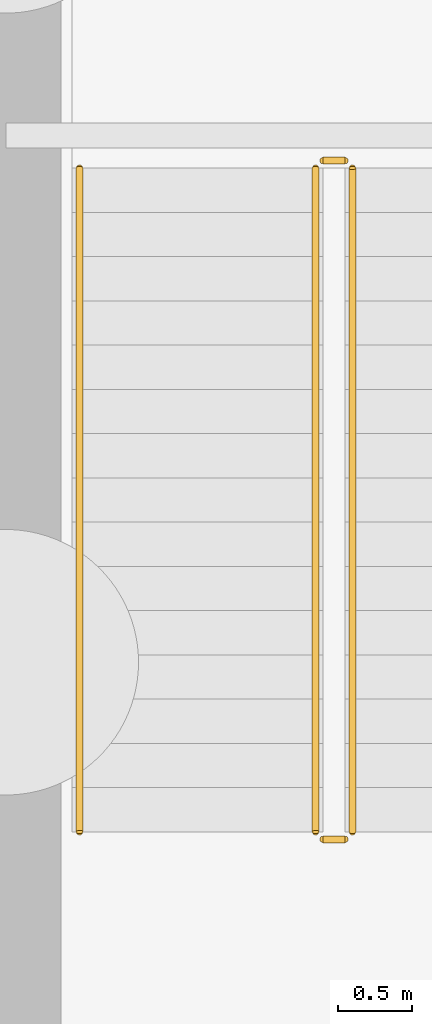
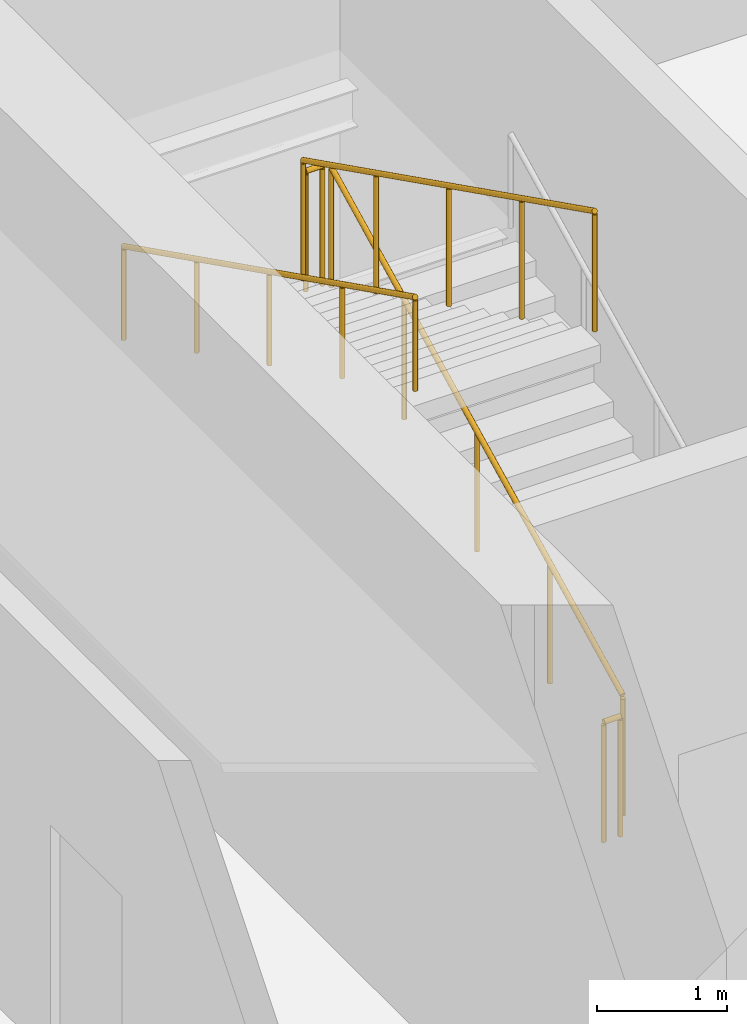
# One storey, part 6 of 11: 5 railings.
"""IFC4 building model written with IfcOpenShell, lengths in metres."""

from ifc_helpers import new_model, si_unit, direction, frame, origin, origin_2d, place, context, subcontext, project, spatial, circle, extrude, material, type_object, element, save


model = new_model("IFC4")

# Units and contexts
model_context = context("Model", 3, precision=1e-05, world=origin(), true_north=direction((0.0, 1.0)))
body_context = subcontext(model_context, "Body", "Model", "MODEL_VIEW")
ifc_project = project(units=[si_unit("LENGTHUNIT", "METRE"), si_unit("AREAUNIT", "SQUARE_METRE"), si_unit("VOLUMEUNIT", "CUBIC_METRE"), si_unit("PLANEANGLEUNIT", "RADIAN"), si_unit("MASSUNIT", "GRAM", prefix="KILO")], contexts=[model_context])

# Site, building, storey
site_placement = place(None, origin())
site = spatial("IfcSite", under=ifc_project, at=site_placement, CompositionType="ELEMENT")
building_placement = place(site_placement, origin())
building = spatial("IfcBuilding", under=site, at=building_placement, Name="Punatoya Terracotta Tower", CompositionType="ELEMENT")
storey_placement = place(building_placement, frame((0.0, 0.0, -9.60009765625)))
storey = spatial("IfcBuildingStorey", under=building, at=storey_placement, Name="B2", CompositionType="ELEMENT", Elevation=-9.60009765625)

# Railings
ifc_material = material(Name="Steel S355", Category="steel")
railing_type_1 = type_object("IfcRailingType", Name="RLG-GRD-1150", PredefinedType="GUARDRAIL", material=ifc_material)
railing_1_placement = place(storey_placement, frame((-7.85009765625, -3.800048828125, 0.150146484375)))
element("IfcRailing", 1, at=railing_1_placement, inside=storey, type_object=railing_type_1, Name="B2 ST-1 stair guard 1", PredefinedType="GUARDRAIL", context=body_context, shape_type="SweptSolid", body=[
    extrude(circle(Radius=0.02392578125, at=origin_2d()), frame((0.0, 0.0, 1.1259765625), z_axis=(0.0, 0.894427191, 0.4472135955), x_axis=(-1.0, 0.0, 0.0)), (0.0, 0.0, 1.0), 5.03125),
    extrude(circle(Radius=0.02099609375, at=origin_2d()), origin(), (0.0, 0.0, 1.0), 1.101806640625),
    extrude(circle(Radius=0.02099609375, at=origin_2d()), frame((0.0, 1.125, 0.5625)), (0.0, 0.0, 1.0), 1.101806640625),
    extrude(circle(Radius=0.02099609375, at=origin_2d()), frame((0.0, 2.25, 1.125)), (0.0, 0.0, 1.0), 1.101806640625),
    extrude(circle(Radius=0.02099609375, at=origin_2d()), frame((0.0, 3.375, 1.6875)), (0.0, 0.0, 1.0), 1.101806640625),
    extrude(circle(Radius=0.02099609375, at=origin_2d()), frame((0.0, 4.5, 2.25)), (0.0, 0.0, 1.0), 1.101806640625),
])
railing_2_placement = place(storey_placement, frame((-7.89990234375, 0.75, 2.400146484375)))
element("IfcRailing", 2, at=railing_2_placement, inside=storey, type_object=railing_type_1, Name="B2 ST-1 stair guard 2", PredefinedType="GUARDRAIL", context=body_context, shape_type="SweptSolid", body=[
    extrude(circle(Radius=0.02392578125, at=origin_2d()), frame((0.0, 0.0, 1.1259765625), z_axis=(-1.0, 0.0, 0.0), x_axis=(0.0, -1.0, 0.0)), (0.0, 0.0, 1.0), 0.150146484375),
    extrude(circle(Radius=0.02099609375, at=origin_2d()), origin(), (0.0, 0.0, 1.0), 1.101806640625),
    extrude(circle(Radius=0.02099609375, at=origin_2d()), frame((-0.150146484375, 0.0, 0.0)), (0.0, 0.0, 1.0), 1.101806640625),
])
railing_3_placement = place(storey_placement, frame((-8.10009765625, 0.699951171875, 2.550048828125)))
element("IfcRailing", 3, at=railing_3_placement, inside=storey, type_object=railing_type_1, Name="B2 ST-1 stair guard 3", PredefinedType="GUARDRAIL", context=body_context, shape_type="SweptSolid", body=[
    extrude(circle(Radius=0.02392578125, at=origin_2d()), frame((0.0, 0.0, 1.1259765625), z_axis=(0.0, -0.894427191, 0.4472135955), x_axis=(1.0, 0.0, 0.0)), (0.0, 0.0, 1.0), 5.03125),
    extrude(circle(Radius=0.02099609375, at=origin_2d()), origin(), (0.0, 0.0, 1.0), 1.101806640625),
    extrude(circle(Radius=0.02099609375, at=origin_2d()), frame((0.0, -1.125, 0.5625)), (0.0, 0.0, 1.0), 1.101806640625),
    extrude(circle(Radius=0.02099609375, at=origin_2d()), frame((0.0, -2.25, 1.125)), (0.0, 0.0, 1.0), 1.101806640625),
    extrude(circle(Radius=0.02099609375, at=origin_2d()), frame((0.0, -3.375, 1.6875)), (0.0, 0.0, 1.0), 1.101806640625),
    extrude(circle(Radius=0.02099609375, at=origin_2d()), frame((0.0, -4.5, 2.25)), (0.0, 0.0, 1.0), 1.101806640625),
])
railing_4_placement = place(storey_placement, frame((-7.89990234375, -3.85009765625, 0.0)))
element("IfcRailing", 4, at=railing_4_placement, inside=storey, type_object=railing_type_1, Name="B2 ST-1 stair guard 4", PredefinedType="GUARDRAIL", context=body_context, shape_type="SweptSolid", body=[
    extrude(circle(Radius=0.02392578125, at=origin_2d()), frame((0.0, 0.0, 1.1259765625), z_axis=(-1.0, 0.0, 0.0), x_axis=(0.0, -1.0, 0.0)), (0.0, 0.0, 1.0), 0.150146484375),
    extrude(circle(Radius=0.02099609375, at=origin_2d()), origin(), (0.0, 0.0, 1.0), 1.101806640625),
    extrude(circle(Radius=0.02099609375, at=origin_2d()), frame((-0.150146484375, 0.0, 0.0)), (0.0, 0.0, 1.0), 1.101806640625),
])
railing_type_2 = type_object("IfcRailingType", Name="RLG-HND-900", PredefinedType="HANDRAIL", material=ifc_material)
railing_5_placement = place(storey_placement, frame((-9.699951171875, 0.699951171875, 2.550048828125)))
element("IfcRailing", 5, at=railing_5_placement, inside=storey, type_object=railing_type_2, Name="B2 ST-1 stair handrail 2", PredefinedType="HANDRAIL", context=body_context, shape_type="SweptSolid", body=[
    extrude(circle(Radius=0.02392578125, at=origin_2d()), frame((0.0, 0.0, 0.8759765625), z_axis=(0.0, -0.894427191, 0.4472135955), x_axis=(1.0, 0.0, 0.0)), (0.0, 0.0, 1.0), 5.03125),
    extrude(circle(Radius=0.02099609375, at=origin_2d()), origin(), (0.0, 0.0, 1.0), 0.851806640625),
    extrude(circle(Radius=0.02099609375, at=origin_2d()), frame((0.0, -1.125, 0.5625)), (0.0, 0.0, 1.0), 0.851806640625),
    extrude(circle(Radius=0.02099609375, at=origin_2d()), frame((0.0, -2.25, 1.125)), (0.0, 0.0, 1.0), 0.851806640625),
    extrude(circle(Radius=0.02099609375, at=origin_2d()), frame((0.0, -3.375, 1.6875)), (0.0, 0.0, 1.0), 0.851806640625),
    extrude(circle(Radius=0.02099609375, at=origin_2d()), frame((0.0, -4.5, 2.25)), (0.0, 0.0, 1.0), 0.851806640625),
])

save(model, "model.ifc")
